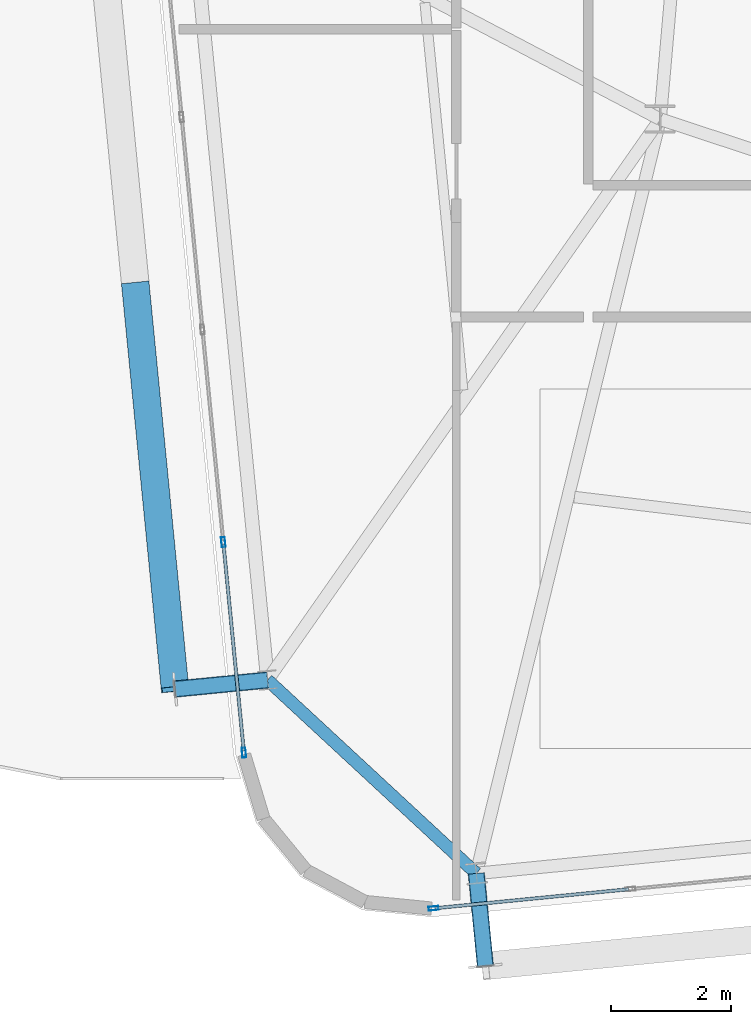
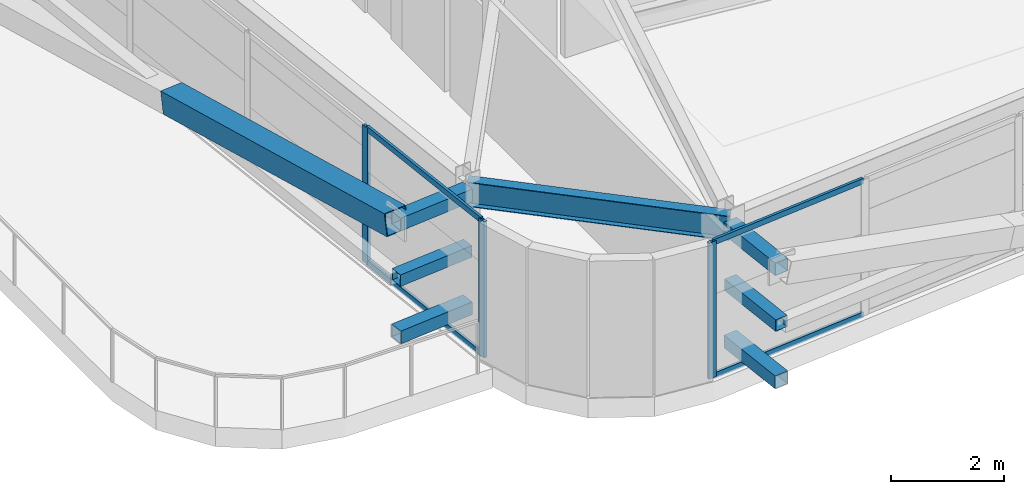
# One storey, part 5 of 51: 14 members, 1 beam, 2 elements without a shape of their own.
"""IFC4 building model written with IfcOpenShell, lengths in metres."""

from ifc_helpers import new_model, si_unit, direction, frame, origin, origin_2d, place, context, subcontext, project, spatial, hollow_rectangle, i_section, extrude, source, transform, mapped, material, layer, layer_set, material_profile, profile_set, type_object, element, aggregate, save


model = new_model("IFC4")

# Units and contexts
model_context = context("Model", 3, precision=1e-05, world=origin(), true_north=direction((0.0, 1.0)))
body_context = subcontext(model_context, "Body", "Model", "MODEL_VIEW")
ifc_project = project(units=[si_unit("LENGTHUNIT", "METRE"), si_unit("AREAUNIT", "SQUARE_METRE"), si_unit("VOLUMEUNIT", "CUBIC_METRE"), si_unit("PLANEANGLEUNIT", "RADIAN"), si_unit("MASSUNIT", "GRAM", prefix="KILO")], contexts=[model_context])

# Site, building, storey
site_placement = place(None, origin())
site = spatial("IfcSite", under=ifc_project, at=site_placement, CompositionType="ELEMENT")
building_placement = place(site_placement, origin())
building = spatial("IfcBuilding", under=site, at=building_placement, Name="Taldren Reach Tower", CompositionType="ELEMENT")
storey_placement = place(building_placement, frame((0.0, 0.0, 65.10009765625)))
storey = spatial("IfcBuildingStorey", under=building, at=storey_placement, Name="L19", CompositionType="ELEMENT", Elevation=65.10009765625)

# Beam
ifc_material_1 = material(Name="Steel Gr 350 (350PLUS)", Category="steel")
ifc_material_profile_1 = material_profile(ifc_material_1, i_section(OverallWidth=0.208984375, OverallDepth=0.528076171875, WebThickness=0.009521484375, FlangeThickness=0.01318359375, at=origin_2d()), Name="530UB82.0")
ifc_profile_set_1 = profile_set([ifc_material_profile_1], Name="Steel Gr 350 (350PLUS)")
beam_type = type_object("IfcBeamType", Name="SP-UB530B", PredefinedType="SPANDREL", material=ifc_profile_set_1)
shared_shape_1 = source(origin(), body_context, "Body", "SweptSolid", [
    extrude(i_section(OverallWidth=0.208984375, OverallDepth=0.528076171875, WebThickness=0.009521484375, FlangeThickness=0.01318359375, at=origin_2d()), origin(), (0.0, 0.0, 1.0), 4.745849609375),
])
beam_placement = place(storey_placement, frame((11.452880859375, 3.145751953125, 2.666015625), z_axis=(0.733524121458, -0.679663419083, 0.0), x_axis=(0.679663419083, 0.733524121458, 0.0)))
element("IfcBeam", 1, at=beam_placement, inside=storey, type_object=beam_type, Name="Perimeter spandrel B2 W1-S1 L19", PredefinedType="SPANDREL", context=body_context, shape_type="MappedRepresentation", body=[
    mapped(shared_shape_1, transform((0.0, 0.0, 0.0), scale=1.0)),
])

# Members
ifc_material_2 = material(Name="Steel Gr 450 (C450L0)", Category="steel")
ifc_material_profile_2 = material_profile(ifc_material_2, hollow_rectangle(XDim=0.27490234375, YDim=0.27490234375, WallThickness=0.00927734375, at=origin_2d()), Name="275x275x9.3SHS")
ifc_profile_set_2 = profile_set([ifc_material_profile_2], Name="Steel Gr 450 (C450L0)")
member_type_1 = type_object("IfcMemberType", Name="MB-TIE273", PredefinedType="STRUT", material=ifc_profile_set_2)
shared_shape_2 = source(origin(), body_context, "Body", "SweptSolid", [
    extrude(hollow_rectangle(XDim=0.27490234375, YDim=0.27490234375, WallThickness=0.00927734375, at=origin_2d()), origin(), (0.0, 0.0, 1.0), 1.550048828125),
])
for number, where, z_axis, x_axis, name in (
    (2, (14.93408203125, -0.079833984375, 2.64990234375), (0.097647892962, -0.9952210252, 0.0), (0.9952210252, 0.097647892962, 0.0), "Exoskeleton diaphragm tie strut B2-S1 L19"),
    (3, (14.93408203125, -0.079833984375, 0.219970703125), (0.097647892962, -0.9952210252, 0.0), (0.9952210252, 0.097647892962, 0.0), "Exoskeleton base diaphragm tie strut B2-S1 L19"),
    (4, (11.452880859375, 3.145751953125, 2.64990234375), (-0.995236318924, -0.097491894511, 0.0), (0.097491894511, -0.995236318924, 0.0), "Exoskeleton diaphragm tie strut B2-W1 L19"),
    (5, (11.452880859375, 3.145751953125, 0.219970703125), (-0.995236318924, -0.097491894511, 0.0), (0.097491894511, -0.995236318924, 0.0), "Exoskeleton base diaphragm tie strut B2-W1 L19"),
):
    element("IfcMember", number, at=place(storey_placement, frame(where, z_axis=z_axis, x_axis=x_axis)), inside=storey, type_object=member_type_1, Name=name, PredefinedType="STRUT", context=body_context, shape_type="MappedRepresentation", body=[
        mapped(shared_shape_2, transform((0.0, 0.0, 0.0), scale=1.0)),
    ])
ifc_material_3 = material(Name="Steel Gr 350 (C350L0)", Category="steel")
ifc_material_profile_3 = material_profile(ifc_material_3, hollow_rectangle(XDim=0.25, YDim=0.25, WallThickness=0.010009765625, at=origin_2d()), Name="250x250x10.0SHS")
ifc_profile_set_3 = profile_set([ifc_material_profile_3], Name="Steel Gr 350 (C350L0)")
member_type_2 = type_object("IfcMemberType", Name="MB-POST250", PredefinedType="POST", material=ifc_profile_set_3)
shared_shape_3 = source(origin(), body_context, "Body", "SweptSolid", [
    extrude(hollow_rectangle(XDim=0.25, YDim=0.25, WallThickness=0.010009765625, at=origin_2d()), origin(), (0.0, 0.0, 1.0), 1.550048828125),
])
for number, where, z_axis, x_axis, name in (
    (6, (14.93408203125, -0.079833984375, 1.434814453125), (0.097647892962, -0.9952210252, 0.0), (0.9952210252, 0.097647892962, 0.0), "Exoskeleton mid-tier diaphragm tie B2-S1 L19"),
    (7, (11.452880859375, 3.145751953125, 1.434814453125), (-0.995236318924, -0.097491894511, 0.0), (0.097491894511, -0.995236318924, 0.0), "Exoskeleton mid-tier diaphragm tie B2-W1 L19"),
):
    element("IfcMember", number, at=place(storey_placement, frame(where, z_axis=z_axis, x_axis=x_axis)), inside=storey, type_object=member_type_2, Name=name, PredefinedType="POST", context=body_context, shape_type="MappedRepresentation", body=[
        mapped(shared_shape_3, transform((0.0, 0.0, 0.0), scale=1.0)),
    ])
ifc_material_profile_4 = material_profile(ifc_material_2, hollow_rectangle(XDim=0.4599609375, YDim=0.4599609375, WallThickness=0.01611328125, at=origin_2d()), Name="460x460x16.0SHS")
ifc_profile_set_4 = profile_set([ifc_material_profile_4], Name="Steel Gr 450 (C450L0)")
member_type_3 = type_object("IfcMemberType", Name="MB-EXO457", PredefinedType="BRACE", material=ifc_profile_set_4)
shared_shape_4 = source(origin(), body_context, "Body", "SweptSolid", [
    extrude(hollow_rectangle(XDim=0.4599609375, YDim=0.4599609375, WallThickness=0.01611328125, at=origin_2d()), origin(), (0.0, 0.0, 1.0), 6.883056640625),
])
member_1_placement = place(storey_placement, frame((9.2490234375, 9.7373046875, 1.434814453125), z_axis=(0.09605145821, -0.97959718347, 0.176531797456), x_axis=(0.995227290009, 0.097584021339, 0.0)))
element("IfcMember", 8, at=member_1_placement, inside=storey, type_object=member_type_3, Name="Exoskeleton Diagrid Brace B2-W1 L19", PredefinedType="BRACE", context=body_context, shape_type="MappedRepresentation", body=[
    mapped(shared_shape_4, transform((0.0, 0.0, 0.0), scale=1.0)),
])

# Curtain wall, member
ifc_material_4 = material(Name="Aluminium and Low-E Glass Unitised System", Category="aluminium")
ifc_layer = layer(ifc_material_4, 0.159912109375)
ifc_layer_set = layer_set([ifc_layer], Name="Aluminium and Low-E Glass Unitised System")
curtain_wall_type = type_object("IfcCurtainWallType", Name="CW-SYS-3", PredefinedType="NOTDEFINED", material=ifc_layer_set)
curtain_wall_1_placement = place(storey_placement, origin())
curtain_wall_1 = element("IfcCurtainWall", 9, at=curtain_wall_1_placement, inside=storey, type_object=curtain_wall_type, Name="Unitised curtain wall CW-L19-S", PredefinedType="NOTDEFINED")
ifc_material_5 = material(Name="Anodised Aluminium 6063-T6", Category="aluminium")
ifc_material_profile_5 = material_profile(ifc_material_5, hollow_rectangle(XDim=0.06494140625, YDim=0.1650390625, WallThickness=0.00390625, at=origin_2d()), Name="ALU-165x65x4RHS")
ifc_profile_set_5 = profile_set([ifc_material_profile_5], Name="Anodised Aluminium 6063-T6")
member_type_4 = type_object("IfcMemberType", Name="CW-MUL-165", PredefinedType="MULLION", material=ifc_profile_set_5)
shared_shape_5 = source(origin(), body_context, "Body", "SweptSolid", [
    extrude(hollow_rectangle(XDim=0.06494140625, YDim=0.1650390625, WallThickness=0.00390625, at=origin_2d()), origin(), (0.0, 0.0, 1.0), 2.929931640625),
])
member_2_placement = place(storey_placement, frame((14.22021484375, -0.662353515625, 0.0), z_axis=(0.0, 0.0, 1.0), x_axis=(-0.097582999046, 0.995227390247, 0.0)))
member_2 = element("IfcMember", 10, at=member_2_placement, type_object=member_type_4, Name="CW-3 mullion 1", PredefinedType="MULLION", context=body_context, shape_type="MappedRepresentation", body=[
    mapped(shared_shape_5, transform((0.0, 0.0, 0.0), scale=1.0)),
])

# Curtain wall, members
curtain_wall_2_placement = place(storey_placement, origin())
curtain_wall_2 = element("IfcCurtainWall", 11, at=curtain_wall_2_placement, inside=storey, type_object=curtain_wall_type, Name="Unitised curtain wall CW-L19-W2", PredefinedType="NOTDEFINED")
member_3_placement = place(storey_placement, frame((10.71484375, 5.445556640625, 0.0), z_axis=(0.0, 0.0, 1.0), x_axis=(0.995227392345, 0.097582977646, 0.0)))
member_3 = element("IfcMember", 12, at=member_3_placement, type_object=member_type_4, Name="CW-3 mullion 6", PredefinedType="MULLION", context=body_context, shape_type="MappedRepresentation", body=[
    mapped(shared_shape_5, transform((0.0, 0.0, 0.0), scale=1.0)),
])
member_4_placement = place(storey_placement, frame((11.05908203125, 1.93408203125, 0.0), z_axis=(0.0, 0.0, 1.0), x_axis=(0.995227392345, 0.097582977646, 0.0)))
member_4 = element("IfcMember", 13, at=member_4_placement, type_object=member_type_4, Name="CW-3 mullion 7", PredefinedType="MULLION", context=body_context, shape_type="MappedRepresentation", body=[
    mapped(shared_shape_5, transform((0.0, 0.0, 0.0), scale=1.0)),
])

# Member
ifc_material_profile_6 = material_profile(ifc_material_5, hollow_rectangle(XDim=0.054931640625, YDim=0.1201171875, WallThickness=0.0029296875, at=origin_2d()), Name="ALU-120x55x3RHS")
ifc_profile_set_6 = profile_set([ifc_material_profile_6], Name="Anodised Aluminium 6063-T6")
member_type_5 = type_object("IfcMemberType", Name="CW-TRN-135", PredefinedType="USERDEFINED", material=ifc_profile_set_6)
shared_shape_6 = source(origin(), body_context, "Body", "SweptSolid", [
    extrude(hollow_rectangle(XDim=0.054931640625, YDim=0.1201171875, WallThickness=0.0029296875, at=origin_2d()), origin(), (0.0, 0.0, 1.0), 3.23583984375),
])
member_5_placement = place(storey_placement, frame((14.25244140625, -0.6591796875, 0.02734375), z_axis=(0.995230248826, 0.097553840629, 0.0), x_axis=(-0.097553840629, 0.995230248826, 0.0)))
member_5 = element("IfcMember", 14, at=member_5_placement, type_object=member_type_5, Name="CW-3 transom 1.1", ObjectType="TRANSOM", PredefinedType="USERDEFINED", context=body_context, shape_type="MappedRepresentation", body=[
    mapped(shared_shape_6, transform((0.0, 0.0, 0.0), scale=1.0)),
])

member_6_placement = place(storey_placement, frame((14.25244140625, -0.6591796875, 2.90234375), z_axis=(0.995230248826, 0.097553840629, 0.0), x_axis=(-0.097553840629, 0.995230248826, 0.0)))
member_6 = element("IfcMember", 15, at=member_6_placement, type_object=member_type_5, Name="CW-3 transom 1.2", ObjectType="TRANSOM", PredefinedType="USERDEFINED", context=body_context, shape_type="MappedRepresentation", body=[
    mapped(shared_shape_6, transform((0.0, 0.0, 0.0), scale=1.0)),
])

aggregate(curtain_wall_1, [member_2, member_5, member_6])

shared_shape_7 = source(origin(), body_context, "Body", "SweptSolid", [
    extrude(hollow_rectangle(XDim=0.054931640625, YDim=0.1201171875, WallThickness=0.0029296875, at=origin_2d()), origin(), (0.0, 0.0, 1.0), 3.463623046875),
])
member_7_placement = place(storey_placement, frame((10.718017578125, 5.413330078125, 0.02734375), z_axis=(0.097556365314, -0.99523000135, 0.0), x_axis=(0.99523000135, 0.097556365314, 0.0)))
member_7 = element("IfcMember", 16, at=member_7_placement, type_object=member_type_5, Name="CW-3 transom 6.1", ObjectType="TRANSOM", PredefinedType="USERDEFINED", context=body_context, shape_type="MappedRepresentation", body=[
    mapped(shared_shape_7, transform((0.0, 0.0, 0.0), scale=1.0)),
])

member_8_placement = place(storey_placement, frame((10.718017578125, 5.413330078125, 2.90234375), z_axis=(0.097556365314, -0.99523000135, 0.0), x_axis=(0.99523000135, 0.097556365314, 0.0)))
member_8 = element("IfcMember", 17, at=member_8_placement, type_object=member_type_5, Name="CW-3 transom 6.2", ObjectType="TRANSOM", PredefinedType="USERDEFINED", context=body_context, shape_type="MappedRepresentation", body=[
    mapped(shared_shape_7, transform((0.0, 0.0, 0.0), scale=1.0)),
])

aggregate(curtain_wall_2, [member_3, member_4, member_7, member_8])

save(model, "model.ifc")
